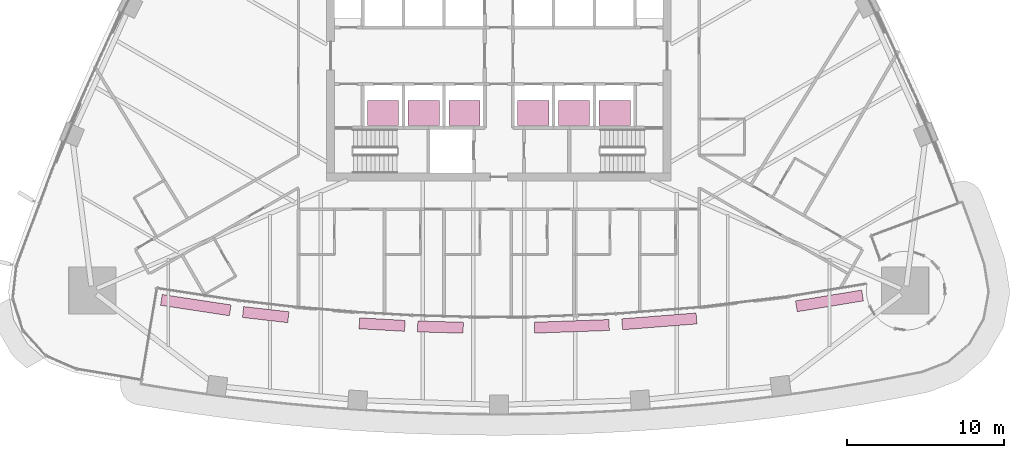
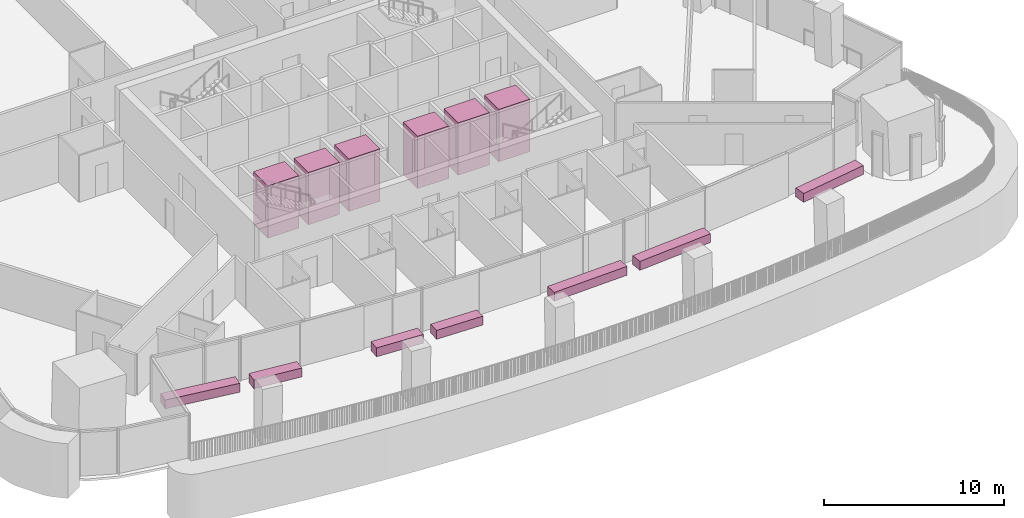
# One storey, part 25 of 25: 7 furniture elements, 6 transport elements.
"""IFC4 building model written with IfcOpenShell, lengths in metres."""

from ifc_helpers import new_model, si_unit, direction, frame, origin, origin_2d, place, context, subcontext, project, spatial, rectangle, extrude, material, type_object, element, save


model = new_model("IFC4")

# Units and contexts
model_context = context("Model", 3, precision=1e-05, world=origin(), true_north=direction((0.0, 1.0)))
body_context = subcontext(model_context, "Body", "Model", "MODEL_VIEW")
ifc_project = project(units=[si_unit("LENGTHUNIT", "METRE"), si_unit("AREAUNIT", "SQUARE_METRE"), si_unit("VOLUMEUNIT", "CUBIC_METRE"), si_unit("PLANEANGLEUNIT", "RADIAN"), si_unit("MASSUNIT", "GRAM", prefix="KILO")], contexts=[model_context])

# Site, building, storey
site_placement = place(None, origin())
site = spatial("IfcSite", under=ifc_project, at=site_placement, CompositionType="ELEMENT")
building_placement = place(site_placement, origin())
building = spatial("IfcBuilding", under=site, at=building_placement, Name="Sierra Prisma Convention Tower", CompositionType="ELEMENT")
storey_placement = place(building_placement, frame((0.0, 0.0, 88.699951171875)))
storey = spatial("IfcBuildingStorey", under=building, at=storey_placement, Name="L18", CompositionType="ELEMENT", Elevation=88.699951171875)

# Transport elements
ifc_material_1 = material(Name="Stainless steel", Category="steel")
transport_element_type = type_object("IfcTransportElementType", Name="Lift car hotel 2000x1600 1600 kg", PredefinedType="ELEVATOR", material=ifc_material_1)
for number, where, z_axis, x_axis, name in (
    (1, (-7.39990234375, -3.64990234375, 0.0), (0.0, 0.0, 1.0), (1.0, 0.0, 0.0), "Lift HT1"),
    (2, (-4.800048828125, -3.64990234375, 0.0), (0.0, 0.0, 1.0), (1.0, 0.0, 0.0), "Lift HT2"),
    (3, (-2.199951171875, -3.64990234375, 0.0), (0.0, 0.0, 1.0), (1.0, 0.0, 0.0), "Lift HT3"),
    (4, (2.199951171875, -3.64990234375, 0.0), (0.0, 0.0, 1.0), (1.0, 0.0, 0.0), "Lift HT4"),
    (5, (4.800048828125, -3.64990234375, 0.0), (0.0, 0.0, 1.0), (1.0, 0.0, 0.0), "Lift HT5"),
    (6, (7.39990234375, -3.64990234375, 0.0), (0.0, 0.0, 1.0), (1.0, 0.0, 0.0), "Lift HT6"),
):
    element("IfcTransportElement", number, at=place(storey_placement, frame(where, z_axis=z_axis, x_axis=x_axis)), inside=storey, type_object=transport_element_type, Name=name, PredefinedType="ELEVATOR", context=body_context, shape_type="SweptSolid", body=[
        extrude(rectangle(XDim=2.0, YDim=1.60009765625, at=origin_2d()), origin(), (0.0, 0.0, 1.0), 3.550048828125),
    ])

# Furniture
ifc_material_2 = material(Name="Precast concrete C40/50", Category="concrete")
furniture_type = type_object("IfcFurnitureType", Name="Terrace planter", AssemblyPlace="NOTDEFINED", PredefinedType="USERDEFINED", material=ifc_material_2)
furniture_1_placement = place(storey_placement, frame((-19.3623046875, -15.931640625, 0.0400390625), z_axis=(0.0, 0.0, 1.0), x_axis=(0.988718781647, -0.14978374684, 0.0)))
element("IfcFurniture", 7, at=furniture_1_placement, inside=storey, type_object=furniture_type, Name="Planter L18.1", ObjectType="PLANTER", PredefinedType="USERDEFINED", context=body_context, shape_type="SweptSolid", body=[
    extrude(rectangle(XDim=4.449951171875, YDim=0.699951171875, at=origin_2d()), origin(), (0.0, 0.0, 1.0), 0.60009765625),
])
for number, where, z_axis, x_axis, name in (
    (8, (-14.897216796875, -16.5390625, 0.0400390625), (0.0, 0.0, 1.0), (0.99352479573, -0.11361549309, 0.0), "Planter L18.2"),
    (9, (-7.460693359375, -17.175537109375, 0.0400390625), (0.0, 0.0, 1.0), (0.998379886549, -0.05689993088, 0.0), "Planter L18.4"),
    (10, (-3.73193359375, -17.3349609375, 0.0400390625), (0.0, 0.0, 1.0), (0.99959488958, -0.028461495497, 0.0), "Planter L18.5"),
):
    element("IfcFurniture", number, at=place(storey_placement, frame(where, z_axis=z_axis, x_axis=x_axis)), inside=storey, type_object=furniture_type, Name=name, ObjectType="PLANTER", PredefinedType="USERDEFINED", context=body_context, shape_type="SweptSolid", body=[
        extrude(rectangle(XDim=2.91259765625, YDim=0.699951171875, at=origin_2d()), origin(), (0.0, 0.0, 1.0), 0.60009765625),
    ])
for number, where, z_axis, x_axis, name in (
    (11, (4.663818359375, -17.28857421875, 0.0400390625), (0.0, 0.0, 1.0), (0.999367039011, 0.035574166741, 0.0), "Planter L18.7"),
    (12, (10.252197265625, -16.969970703125, 0.0400390625), (0.0, 0.0, 1.0), (0.996937709788, 0.078199762171, 0.0), "Planter L18.8"),
):
    element("IfcFurniture", number, at=place(storey_placement, frame(where, z_axis=z_axis, x_axis=x_axis)), inside=storey, type_object=furniture_type, Name=name, ObjectType="PLANTER", PredefinedType="USERDEFINED", context=body_context, shape_type="SweptSolid", body=[
        extrude(rectangle(XDim=4.768798828125, YDim=0.699951171875, at=origin_2d()), origin(), (0.0, 0.0, 1.0), 0.60009765625),
    ])
furniture_2_placement = place(storey_placement, frame((21.123291015625, -15.662353515625, 0.0400390625), z_axis=(0.0, 0.0, 1.0), x_axis=(0.986855367185, 0.161605953661, 0.0)))
element("IfcFurniture", 13, at=furniture_2_placement, inside=storey, type_object=furniture_type, Name="Planter L18.10", ObjectType="PLANTER", PredefinedType="USERDEFINED", context=body_context, shape_type="SweptSolid", body=[
    extrude(rectangle(XDim=4.283935546875, YDim=0.699951171875, at=origin_2d()), origin(), (0.0, 0.0, 1.0), 0.60009765625),
])

save(model, "model.ifc")
